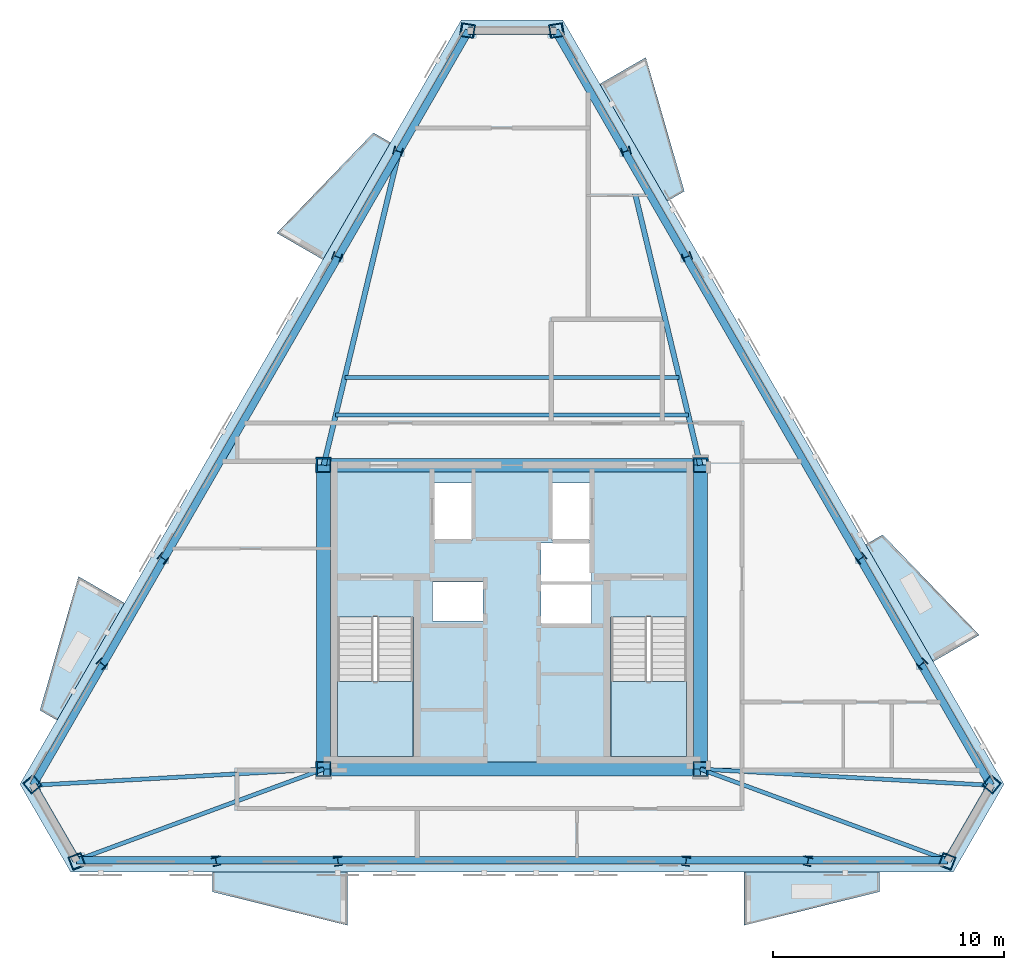
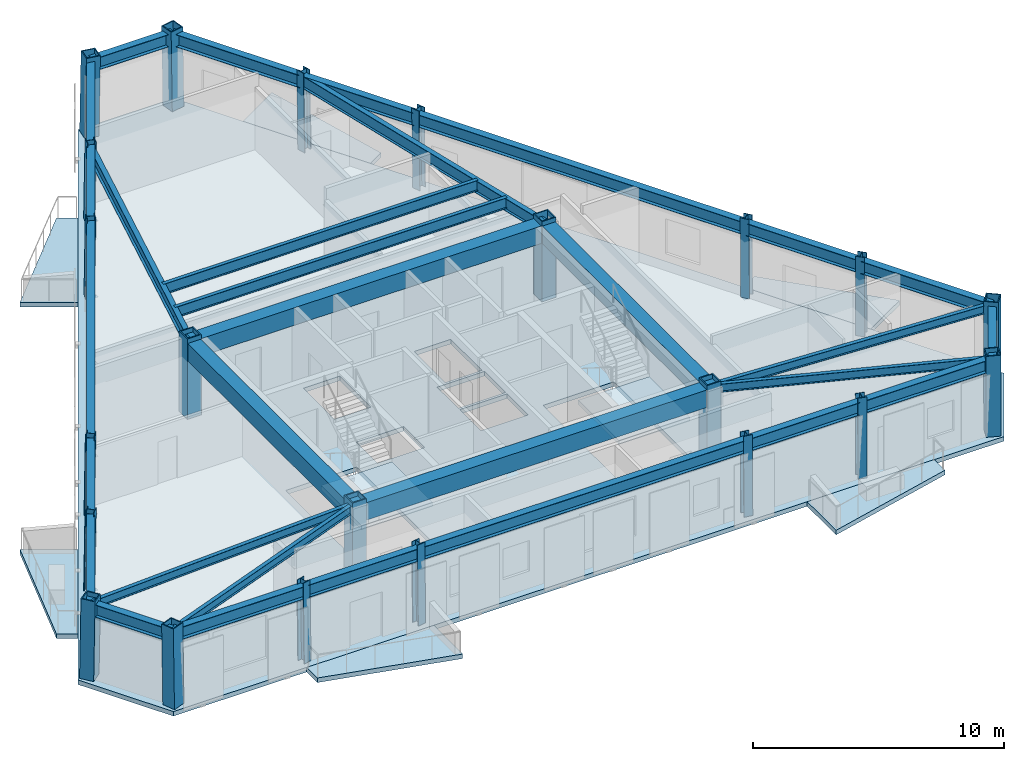
# One storey, part 1 of 9: 30 beams, 22 columns, 9 slabs, 2 elements without a shape of their own.
"""IFC4 building model written with IfcOpenShell, lengths in metres."""

import ifcopenshell
import ifcopenshell.guid

model = None  # the IFC model being written
_history = None  # IfcOwnerHistory: only IFC2X3 demands one
_inside = {}  # id of a spatial element -> (the spatial element, [elements in it])
_under = {}  # id of a project, library or spatial element -> (it, [spatial elements below it])
_declared = {}  # id of a project -> (the project, [libraries it declares])
_typed = {}  # id of a type object -> (the type object, [elements of that type])
_made_of = {}  # id of a material, layer set ... -> (it, [elements and type objects made of it])


def new_model(schema):
    """Start an empty IFC model of exactly this schema.

    Asked for "IFC4X3", IfcOpenShell would pick the latest addendum, in which some entities
    have other attributes; the version numbers below select the first issue.
    IFC2X3 requires an IfcOwnerHistory on every rooted entity: one is made here for all.
    """
    global model, _history
    if schema == "IFC4X3":
        model = ifcopenshell.file(schema_version=(4, 3, 0, 0))
    else:
        model = ifcopenshell.file(schema=schema)
    _inside.clear()
    _under.clear()
    _declared.clear()
    _typed.clear()
    _made_of.clear()
    _history = None
    if model.schema == "IFC2X3":
        org = make("IfcOrganization", Name="unknown")
        user = make(
            "IfcPersonAndOrganization",
            ThePerson=make("IfcPerson", FamilyName="unknown"),
            TheOrganization=org,
        )
        app = make(
            "IfcApplication",
            ApplicationDeveloper=org,
            Version="unknown",
            ApplicationFullName="unknown",
            ApplicationIdentifier="unknown",
        )
        _history = make(
            "IfcOwnerHistory",
            OwningUser=user,
            OwningApplication=app,
            ChangeAction="ADDED",
            CreationDate=0,
        )
    return model


def make(cls, **values):
    """One entity of the class cls with the attributes given. An attribute that is None is left unset."""
    return model.create_entity(
        cls, **{name: value for name, value in values.items() if value is not None}
    )


def rooted(cls, **values):
    """An entity with a GlobalId (a new one), such as an element, a storey or a relation."""
    return make(cls, GlobalId=ifcopenshell.guid.new(), OwnerHistory=_history, **values)


def si_unit(unit_type, name, prefix=None):
    """IfcSIUnit, for example si_unit("LENGTHUNIT", "METRE", prefix="MILLI")."""
    return make("IfcSIUnit", UnitType=unit_type, Prefix=prefix, Name=name)


def assignment(units):
    """IfcUnitAssignment: the units of a project."""
    return None if units is None else make("IfcUnitAssignment", Units=units)


def point(xyz):
    """IfcCartesianPoint."""
    return None if xyz is None else make("IfcCartesianPoint", Coordinates=xyz)


def direction(xyz):
    """IfcDirection."""
    return None if xyz is None else make("IfcDirection", DirectionRatios=xyz)


def frame(location, z_axis=None, x_axis=None):
    """IfcAxis2Placement3D, a coordinate frame: its origin and axes. An axis left out is left unset."""
    return make(
        "IfcAxis2Placement3D",
        Location=point(location),
        Axis=direction(z_axis),
        RefDirection=direction(x_axis),
    )


def frame_2d(location, x_axis=None):
    """IfcAxis2Placement2D, a coordinate frame in the plane: its origin and x axis."""
    return make(
        "IfcAxis2Placement2D", Location=point(location), RefDirection=direction(x_axis)
    )


def origin():
    """The frame at (0, 0, 0) with its axes left unset."""
    return frame((0.0, 0.0, 0.0))


def origin_2d():
    """The frame at (0, 0) in the plane with its x axis left unset."""
    return frame_2d((0.0, 0.0))


def place(relative_to, where):
    """IfcLocalPlacement: puts the frame where relative to a parent placement (None: the world)."""
    return make(
        "IfcLocalPlacement", PlacementRelTo=relative_to, RelativePlacement=where
    )


def context(
    kind, dimensions, precision=None, world=None, true_north=None, identifier=None
):
    """IfcGeometricRepresentationContext, for example the 3D "Model" context."""
    return make(
        "IfcGeometricRepresentationContext",
        ContextIdentifier=identifier,
        ContextType=kind,
        CoordinateSpaceDimension=dimensions,
        Precision=precision,
        WorldCoordinateSystem=world,
        TrueNorth=true_north,
    )


def subcontext(parent, identifier, kind, view, scale=None):
    """IfcGeometricRepresentationSubContext, for example "Body" below "Model"."""
    return make(
        "IfcGeometricRepresentationSubContext",
        ContextIdentifier=identifier,
        ContextType=kind,
        ParentContext=parent,
        TargetScale=scale,
        TargetView=view,
    )


def project(units=None, contexts=None):
    """IfcProject with its units and contexts."""
    return rooted(
        "IfcProject",
        Name="project",
        RepresentationContexts=contexts,
        UnitsInContext=assignment(units),
    )


def spatial(cls, under=None, at=None, **own):
    """A site, building, storey or space (cls), placed at a placement, below another one or the project."""
    s = rooted(cls, ObjectPlacement=at, **own)
    if under is not None:
        _under.setdefault(under.id(), (under, []))[1].append(s)
    return s


def polyline(points):
    """IfcPolyline through the points."""
    return make("IfcPolyline", Points=[point(p) for p in points])


def profile(cls, at=None, kind="AREA", **sizes):
    """A parametric profile (cls). Its sizes go by their IFC names, for example OverallWidth=200.0."""
    return make(cls, ProfileType=kind, Position=at, **sizes)


def rectangle(**sizes):
    """IfcRectangleProfileDef."""
    return profile("IfcRectangleProfileDef", **sizes)


def hollow_rectangle(**sizes):
    """IfcRectangleHollowProfileDef."""
    return profile("IfcRectangleHollowProfileDef", **sizes)


def i_section(**sizes):
    """IfcIShapeProfileDef."""
    return profile("IfcIShapeProfileDef", **sizes)


def outline(outer, holes=None, kind="AREA"):
    """IfcArbitraryClosedProfileDef: a profile drawn as a closed curve; with holes, ...WithVoids."""
    if holes is None:
        return make("IfcArbitraryClosedProfileDef", ProfileType=kind, OuterCurve=outer)
    return make(
        "IfcArbitraryProfileDefWithVoids",
        ProfileType=kind,
        OuterCurve=outer,
        InnerCurves=holes,
    )


def extrude(swept, where, along, depth):
    """IfcExtrudedAreaSolid: the profile swept, set in the frame where, extruded along a direction by depth."""
    return make(
        "IfcExtrudedAreaSolid",
        SweptArea=swept,
        Position=where,
        ExtrudedDirection=direction(along),
        Depth=depth,
    )


def shape(context_of_items, identifier, shape_type, items):
    """IfcShapeRepresentation: the items that make up one representation, for example the "Body"."""
    return make(
        "IfcShapeRepresentation",
        ContextOfItems=context_of_items,
        RepresentationIdentifier=identifier,
        RepresentationType=shape_type,
        Items=items,
    )


def material(Name=None, Category=None):
    """IfcMaterial."""
    return make("IfcMaterial", Name=Name, Category=Category)


def layer(
    of_material, thickness, ventilated=None, Name=None, Category=None, Priority=None
):
    """IfcMaterialLayer: one layer of a wall or slab, of a material (None: an air gap)."""
    return make(
        "IfcMaterialLayer",
        Material=of_material,
        LayerThickness=thickness,
        IsVentilated=ventilated,
        Name=Name,
        Category=Category,
        Priority=Priority,
    )


def layer_set(layers, Name=None):
    """IfcMaterialLayerSet."""
    return make("IfcMaterialLayerSet", MaterialLayers=layers, LayerSetName=Name)


def material_profile(
    of_material, cross_section, Name=None, Category=None, Priority=None
):
    """IfcMaterialProfile: a cross section and its material."""
    return make(
        "IfcMaterialProfile",
        Name=Name,
        Material=of_material,
        Profile=cross_section,
        Priority=Priority,
        Category=Category,
    )


def profile_set(profiles, Name=None, composite=None):
    """IfcMaterialProfileSet."""
    return make(
        "IfcMaterialProfileSet",
        Name=Name,
        MaterialProfiles=profiles,
        CompositeProfile=composite,
    )


def made_of(thing, what):
    """Note that an element or type object is made of a material, layer set ...; save() writes the relation."""
    if what is not None:
        _made_of.setdefault(what.id(), (what, []))[1].append(thing)
    return thing


def type_object(cls, material=None, **own):
    """A type object (cls), such as IfcWallType, which elements share."""
    return made_of(rooted(cls, **own), material)


def element(
    cls,
    number,
    at=None,
    inside=None,
    cuts=None,
    type_object=None,
    material=None,
    context=None,
    identifier="Body",
    shape_type=None,
    held_by="IfcProductDefinitionShape",
    body=None,
    shapes=None,
    **own,
):
    """One element of the class cls, such as IfcWall. Its Tag is "e" and its number.

    at: its placement. inside: the storey or other place that contains it. cuts: it is an
    opening in that element (IfcRelVoidsElement). A single representation is given by context,
    identifier, shape_type and body (its items); several are given by shapes. held_by: the class
    of the entity that holds the representations. save() writes the other relations.
    """
    e = rooted(cls, Tag="e%d" % number, ObjectPlacement=at, **own)
    if body is not None:
        shapes = [shape(context, identifier, shape_type, body)]
    if shapes is not None:
        e.Representation = make(held_by, Representations=shapes)
    if inside is not None:
        _inside.setdefault(inside.id(), (inside, []))[1].append(e)
    if cuts is not None:
        rooted(
            "IfcRelVoidsElement", RelatingBuildingElement=cuts, RelatedOpeningElement=e
        )
    if type_object is not None:
        _typed.setdefault(type_object.id(), (type_object, []))[1].append(e)
    return made_of(e, material)


def aggregate(whole, parts):
    """IfcRelAggregates: a whole, such as a stair, and the parts it consists of."""
    return rooted("IfcRelAggregates", RelatingObject=whole, RelatedObjects=parts)


def save(model, path):
    """Write the relations noted so far, then the file.

    IfcRelAggregates (storeys below a building ...), IfcRelContainedInSpatialStructure (elements
    in a storey), IfcRelDefinesByType, IfcRelAssociatesMaterial and IfcRelDeclares: one each for
    every whole, place, type object, material and project.
    """
    for whole, parts in _under.values():
        aggregate(whole, parts)
    for where, things in _inside.values():
        rooted(
            "IfcRelContainedInSpatialStructure",
            RelatedElements=things,
            RelatingStructure=where,
        )
    for kind, things in _typed.values():
        rooted("IfcRelDefinesByType", RelatedObjects=things, RelatingType=kind)
    for what, things in _made_of.values():
        rooted("IfcRelAssociatesMaterial", RelatedObjects=things, RelatingMaterial=what)
    for by, libraries in _declared.values():
        rooted("IfcRelDeclares", RelatingContext=by, RelatedDefinitions=libraries)
    model.write(path)


model = new_model("IFC4")

# Units and contexts
model_context = context("Model", 3, precision=1e-05, world=origin(), true_north=direction((0.0, 1.0)))
body_context = subcontext(model_context, "Body", "Model", "MODEL_VIEW")
ifc_project = project(units=[si_unit("LENGTHUNIT", "METRE"), si_unit("AREAUNIT", "SQUARE_METRE"), si_unit("VOLUMEUNIT", "CUBIC_METRE"), si_unit("PLANEANGLEUNIT", "RADIAN"), si_unit("MASSUNIT", "GRAM", prefix="KILO")], contexts=[model_context])

# Site, building, storey
site_placement = place(None, origin())
site = spatial("IfcSite", under=ifc_project, at=site_placement, CompositionType="ELEMENT")
building_placement = place(site_placement, origin())
building = spatial("IfcBuilding", under=site, at=building_placement, Name="Oramaril Tower", CompositionType="ELEMENT")
storey_placement = place(building_placement, frame((0.0, 0.0, 301.199951171875)))
storey = spatial("IfcBuildingStorey", under=building, at=storey_placement, Name="L79", CompositionType="ELEMENT", Elevation=301.199951171875)

# Columns
ifc_material_1 = material(Name="Steel ASTM A572 Gr 50", Category="steel")
ifc_material_profile_1 = material_profile(ifc_material_1, hollow_rectangle(XDim=0.64990234375, YDim=0.64990234375, WallThickness=0.050048828125, at=origin_2d()), Name="BOX650X650X50")
ifc_profile_set_1 = profile_set([ifc_material_profile_1], Name="Steel ASTM A572 Gr 50")
column_type_1 = type_object("IfcColumnType", Name="CT-CC5", PredefinedType="COLUMN", material=ifc_profile_set_1)
for number, where, z_axis, x_axis, name in (
    (1, (29.35009765625, 11.0, 0.0), (0.0, 0.0, 1.0), (1.0, 0.0, 0.0), "L79 Core Column CC-1"),
    (2, (45.64990234375, 11.0, 0.0), (0.0, 0.0, 1.0), (1.0, 0.0, 0.0), "L79 Core Column CC-2"),
    (3, (45.64990234375, 24.14990234375, 0.0), (0.0, 0.0, 1.0), (1.0, 0.0, 0.0), "L79 Core Column CC-3"),
    (4, (29.35009765625, 24.14990234375, 0.0), (0.0, 0.0, 1.0), (1.0, 0.0, 0.0), "L79 Core Column CC-4"),
):
    element("IfcColumn", number, at=place(storey_placement, frame(where, z_axis=z_axis, x_axis=x_axis)), inside=storey, type_object=column_type_1, Name=name, PredefinedType="COLUMN", context=body_context, shape_type="SweptSolid", body=[
        extrude(hollow_rectangle(XDim=0.64990234375, YDim=0.64990234375, WallThickness=0.050048828125, at=origin_2d()), origin(), (0.0, 0.0, 1.0), 3.900146484375),
    ])
ifc_material_2 = material(Name="Steel ASTM A572 Gr 50", Category="steel")
ifc_material_profile_2 = material_profile(ifc_material_2, hollow_rectangle(XDim=0.60009765625, YDim=0.60009765625, WallThickness=0.044921875, at=origin_2d()), Name="BOX600X600X45")
ifc_profile_set_2 = profile_set([ifc_material_profile_2], Name="Steel ASTM A572 Gr 50")
column_type_2 = type_object("IfcColumnType", Name="CT-TC5", PredefinedType="COLUMN", material=ifc_profile_set_2)
for number, where, z_axis, x_axis, name in (
    (5, (16.73876953125, 10.344970703125, 0.004638671875), (0.00966190335, -0.011983269739, 0.999881517416), (0.778477281888, 0.627672782255, 0.0), "L79 Tube Column TC-01"),
    (6, (18.671142578125, 6.997802734375, 0.004638671875), (-0.005521087759, 0.014367376099, 0.999881541031), (-0.933450623028, -0.358705916273, 0.0), "L79 Tube Column TC-02"),
    (7, (56.328857421875, 6.997802734375, 0.004638671875), (0.005521087759, 0.014367376099, 0.999881541031), (-0.933450623028, 0.358705916273, 0.0), "L79 Tube Column TC-03"),
    (8, (58.26123046875, 10.344970703125, 0.004638671875), (-0.00966190335, -0.011983269739, 0.999881517416), (0.778477281888, -0.627672782255, 0.0), "L79 Tube Column TC-04"),
    (9, (39.432373046875, 42.95751953125, 0.004638671875), (-0.015182994325, -0.002446846193, 0.999881737821), (0.159104174377, -0.987261799978, 0.0), "L79 Tube Column TC-05"),
    (10, (35.567626953125, 42.95751953125, 0.004638671875), (0.015182994325, -0.002446846193, 0.999881737821), (0.159104174377, 0.987261799978, 0.0), "L79 Tube Column TC-06"),
):
    element("IfcColumn", number, at=place(storey_placement, frame(where, z_axis=z_axis, x_axis=x_axis)), inside=storey, type_object=column_type_2, Name=name, PredefinedType="COLUMN", context=body_context, shape_type="SweptSolid", body=[
        extrude(hollow_rectangle(XDim=0.60009765625, YDim=0.60009765625, WallThickness=0.044921875, at=origin_2d()), origin(), (0.0, 0.0, 1.0), 3.891357421875),
    ])
ifc_material_3 = material(Name="Steel ASTM A572 Gr 50", Category="steel")
ifc_material_profile_3 = material_profile(ifc_material_3, i_section(OverallWidth=0.373046875, OverallDepth=0.373046875, WebThickness=0.016357421875, FlangeThickness=0.026123046875, at=origin_2d()), Name="W14X132")
ifc_profile_set_3 = profile_set([ifc_material_profile_3], Name="Steel ASTM A572 Gr 50")
column_type_3 = type_object("IfcColumnType", Name="CT-TF5", PredefinedType="COLUMN", material=ifc_profile_set_3)
for number, where, z_axis, x_axis, name in (
    (11, (24.6962890625, 6.997802734375, 0.004638671875), (-0.003701669441, 0.014367496645, 0.999889930284), (-0.968376261562, -0.249494320664, 0.0), "L79 Tube Column TC-07"),
    (12, (29.968505859375, 6.997802734375, 0.004638671875), (-0.002195915351, 0.01436756044, 0.999894370003), (-0.988520930222, -0.151083984968, 0.0), "L79 Tube Column TC-08"),
    (13, (45.031494140625, 6.997802734375, 0.004638671875), (0.002195915351, 0.01436756044, 0.999894370003), (-0.988520930222, 0.151083984968, 0.0), "L79 Tube Column TC-09"),
    (14, (50.3037109375, 6.997802734375, 0.004638671875), (0.003701669441, 0.014367496645, 0.999889930284), (-0.968376261562, 0.249494320664, 0.0), "L79 Tube Column TC-10"),
    (15, (55.248779296875, 15.56298828125, 0.004638671875), (-0.010603076025, -0.010477595836, 0.99988889121), (0.702885360452, -0.7113031492, 0.0), "L79 Tube Column TC-11"),
    (16, (52.612548828125, 20.128662109375, 0.004638671875), (-0.011293284305, -0.009097367912, 0.999894844284), (0.627329537873, -0.778753909083, 0.0), "L79 Tube Column TC-12"),
    (17, (45.0810546875, 33.173583984375, 0.004638671875), (-0.013551937965, -0.005207457644, 0.999894608127), (0.358689472963, -0.933456941688, 0.0), "L79 Tube Column TC-13"),
    (18, (42.445068359375, 37.739501953125, 0.004638671875), (-0.014304755612, -0.00395262984, 0.999889869278), (0.26633537944, -0.96388042083, 0.0), "L79 Tube Column TC-14"),
    (19, (32.554931640625, 37.739501953125, 0.004638671875), (0.014304755612, -0.00395262984, 0.999889869278), (0.26633537944, 0.96388042083, 0.0), "L79 Tube Column TC-15"),
    (20, (29.9189453125, 33.173583984375, 0.004638671875), (0.013551937965, -0.005207457644, 0.999894608127), (0.358689472963, 0.933456941688, 0.0), "L79 Tube Column TC-16"),
    (21, (22.387451171875, 20.128662109375, 0.004638671875), (0.011293284305, -0.009097367912, 0.999894844284), (0.627329537873, 0.778753909083, 0.0), "L79 Tube Column TC-17"),
    (22, (19.751220703125, 15.56298828125, 0.004638671875), (0.010603076025, -0.010477595836, 0.99988889121), (0.702885360452, 0.7113031492, 0.0), "L79 Tube Column TC-18"),
):
    element("IfcColumn", number, at=place(storey_placement, frame(where, z_axis=z_axis, x_axis=x_axis)), inside=storey, type_object=column_type_3, Name=name, PredefinedType="COLUMN", context=body_context, shape_type="SweptSolid", body=[
        extrude(i_section(OverallWidth=0.373046875, OverallDepth=0.373046875, WebThickness=0.016357421875, FlangeThickness=0.026123046875, at=origin_2d()), origin(), (0.0, 0.0, 1.0), 3.891357421875),
    ])

# Beams
ifc_material_4 = material(Name="Concrete C50/60", Category="concrete")
ifc_material_profile_4 = material_profile(ifc_material_4, rectangle(XDim=0.60009765625, YDim=0.85009765625, at=origin_2d()), Name="CB600X850")
ifc_profile_set_4 = profile_set([ifc_material_profile_4], Name="Concrete C50/60")
beam_type_1 = type_object("IfcBeamType", Name="BT-CB2", PredefinedType="BEAM", material=ifc_profile_set_4)
beam_1_placement = place(storey_placement, frame((29.35009765625, 11.0, 3.255126953125), z_axis=(1.0, 0.0, 0.0), x_axis=(0.0, 1.0, 0.0)))
element("IfcBeam", 23, at=beam_1_placement, inside=storey, type_object=beam_type_1, Name="L79 Core Header Beam CB-1", PredefinedType="BEAM", context=body_context, shape_type="SweptSolid", body=[
    extrude(rectangle(XDim=0.60009765625, YDim=0.85009765625, at=origin_2d()), origin(), (0.0, 0.0, 1.0), 16.2998046875),
])
beam_2_placement = place(storey_placement, frame((45.64990234375, 11.0, 3.255126953125), z_axis=(0.0, 1.0, 0.0), x_axis=(-1.0, 0.0, 0.0)))
element("IfcBeam", 24, at=beam_2_placement, inside=storey, type_object=beam_type_1, Name="L79 Core Header Beam CB-2", PredefinedType="BEAM", context=body_context, shape_type="SweptSolid", body=[
    extrude(rectangle(XDim=0.60009765625, YDim=0.85009765625, at=origin_2d()), origin(), (0.0, 0.0, 1.0), 13.14990234375),
])
beam_3_placement = place(storey_placement, frame((45.64990234375, 24.14990234375, 3.255126953125), z_axis=(-1.0, 0.0, 0.0), x_axis=(0.0, -1.0, 0.0)))
element("IfcBeam", 25, at=beam_3_placement, inside=storey, type_object=beam_type_1, Name="L79 Core Header Beam CB-3", PredefinedType="BEAM", context=body_context, shape_type="SweptSolid", body=[
    extrude(rectangle(XDim=0.60009765625, YDim=0.85009765625, at=origin_2d()), origin(), (0.0, 0.0, 1.0), 16.2998046875),
])
beam_4_placement = place(storey_placement, frame((29.35009765625, 24.14990234375, 3.255126953125), z_axis=(0.0, -1.0, 0.0), x_axis=(1.0, 0.0, 0.0)))
element("IfcBeam", 26, at=beam_4_placement, inside=storey, type_object=beam_type_1, Name="L79 Core Header Beam CB-4", PredefinedType="BEAM", context=body_context, shape_type="SweptSolid", body=[
    extrude(rectangle(XDim=0.60009765625, YDim=0.85009765625, at=origin_2d()), origin(), (0.0, 0.0, 1.0), 13.14990234375),
])
ifc_material_5 = material(Name="Steel ASTM A572 Gr 50", Category="steel")
ifc_material_profile_5 = material_profile(ifc_material_5, i_section(OverallWidth=0.22900390625, OverallDepth=0.612060546875, WebThickness=0.011962890625, FlangeThickness=0.01953125, at=origin_2d()), Name="W24X84")
ifc_profile_set_5 = profile_set([ifc_material_profile_5], Name="Steel ASTM A572 Gr 50")
beam_type_2 = type_object("IfcBeamType", Name="BT-FB1", PredefinedType="BEAM", material=ifc_profile_set_5)
for number, where, z_axis, x_axis, name in (
    (27, (29.35009765625, 24.14990234375, 3.3740234375), (0.233554841493, 0.972343630624, 0.0), (-0.972343630624, 0.233554841493, 0.0), "L80 Portal Throat West Primary Girder"),
    (28, (45.64990234375, 24.14990234375, 3.3740234375), (-0.233554841493, 0.972343630624, 0.0), (-0.972343630624, -0.233554841493, 0.0), "L80 Portal Throat East Primary Girder"),
):
    element("IfcBeam", number, at=place(storey_placement, frame(where, z_axis=z_axis, x_axis=x_axis)), inside=storey, type_object=beam_type_2, Name=name, PredefinedType="BEAM", context=body_context, shape_type="SweptSolid", body=[
        extrude(i_section(OverallWidth=0.22900390625, OverallDepth=0.612060546875, WebThickness=0.011962890625, FlangeThickness=0.01953125, at=origin_2d()), origin(), (0.0, 0.0, 1.0), 13.960205078125),
    ])
ifc_material_6 = material(Name="Steel ASTM A572 Gr 50", Category="steel")
ifc_material_profile_6 = material_profile(ifc_material_6, i_section(OverallWidth=0.166015625, OverallDepth=0.528076171875, WebThickness=0.009765625, FlangeThickness=0.013671875, at=origin_2d()), Name="W21X50")
ifc_profile_set_6 = profile_set([ifc_material_profile_6], Name="Steel ASTM A572 Gr 50")
beam_type_3 = type_object("IfcBeamType", Name="BT-FB3", PredefinedType="BEAM", material=ifc_profile_set_6)
beam_5_placement = place(storey_placement, frame((30.262939453125, 27.95068359375, 3.416015625), z_axis=(1.0, 0.0, 0.0), x_axis=(0.0, 1.0, 0.0)))
element("IfcBeam", 29, at=beam_5_placement, inside=storey, type_object=beam_type_3, Name="L80 Portal Deck Outer Support Girder", PredefinedType="BEAM", context=body_context, shape_type="SweptSolid", body=[
    extrude(i_section(OverallWidth=0.166015625, OverallDepth=0.528076171875, WebThickness=0.009765625, FlangeThickness=0.013671875, at=origin_2d()), origin(), (0.0, 0.0, 1.0), 14.47412109375),
])
beam_6_placement = place(storey_placement, frame((29.87158203125, 26.322021484375, 3.416015625), z_axis=(1.0, 0.0, 0.0), x_axis=(0.0, 1.0, 0.0)))
element("IfcBeam", 30, at=beam_6_placement, inside=storey, type_object=beam_type_3, Name="L80 Portal Deck Inner Support Girder", PredefinedType="BEAM", context=body_context, shape_type="SweptSolid", body=[
    extrude(i_section(OverallWidth=0.166015625, OverallDepth=0.528076171875, WebThickness=0.009765625, FlangeThickness=0.013671875, at=origin_2d()), origin(), (0.0, 0.0, 1.0), 15.2568359375),
])
ifc_material_7 = material(Name="Steel ASTM A572 Gr 50", Category="steel")
ifc_material_profile_7 = material_profile(ifc_material_7, i_section(OverallWidth=0.177978515625, OverallDepth=0.404052734375, WebThickness=0.007568359375, FlangeThickness=0.010986328125, at=origin_2d()), Name="W16X36")
ifc_profile_set_7 = profile_set([ifc_material_profile_7], Name="Steel ASTM A572 Gr 50")
beam_type_4 = type_object("IfcBeamType", Name="BT-SB1", PredefinedType="BEAM", material=ifc_profile_set_7)
beam_7_placement = place(storey_placement, frame((29.35009765625, 11.0, 3.47802734375), z_axis=(-0.998446602946, -0.055716972872, 0.0), x_axis=(0.055716972872, -0.998446602946, 0.0)))
element("IfcBeam", 31, at=beam_7_placement, inside=storey, type_object=beam_type_4, Name="L79 Radial Primary Beam RB-01", PredefinedType="BEAM", context=body_context, shape_type="SweptSolid", body=[
    extrude(i_section(OverallWidth=0.177978515625, OverallDepth=0.404052734375, WebThickness=0.007568359375, FlangeThickness=0.010986328125, at=origin_2d()), origin(), (0.0, 0.0, 1.0), 12.59326171875),
])
for number, where, z_axis, x_axis, name in (
    (32, (29.35009765625, 11.0, 3.47802734375), (-0.938228670809, -0.346015839626, 0.0), (0.346015839626, -0.938228670809, 0.0), "L79 Radial Primary Beam RB-02"),
    (33, (45.64990234375, 11.0, 3.47802734375), (0.938228670809, -0.346015839626, 0.0), (0.346015839626, 0.938228670809, 0.0), "L79 Radial Primary Beam RB-03"),
):
    element("IfcBeam", number, at=place(storey_placement, frame(where, z_axis=z_axis, x_axis=x_axis)), inside=storey, type_object=beam_type_4, Name=name, PredefinedType="BEAM", context=body_context, shape_type="SweptSolid", body=[
        extrude(i_section(OverallWidth=0.177978515625, OverallDepth=0.404052734375, WebThickness=0.007568359375, FlangeThickness=0.010986328125, at=origin_2d()), origin(), (0.0, 0.0, 1.0), 11.405029296875),
    ])
beam_8_placement = place(storey_placement, frame((45.64990234375, 11.0, 3.47802734375), z_axis=(0.998446602946, -0.055716972872, 0.0), x_axis=(0.055716972872, 0.998446602946, 0.0)))
element("IfcBeam", 34, at=beam_8_placement, inside=storey, type_object=beam_type_4, Name="L79 Radial Primary Beam RB-04", PredefinedType="BEAM", context=body_context, shape_type="SweptSolid", body=[
    extrude(i_section(OverallWidth=0.177978515625, OverallDepth=0.404052734375, WebThickness=0.007568359375, FlangeThickness=0.010986328125, at=origin_2d()), origin(), (0.0, 0.0, 1.0), 12.59326171875),
])
ifc_material_8 = material(Name="Steel ASTM A572 Gr 50", Category="steel")
ifc_material_profile_8 = material_profile(ifc_material_8, i_section(OverallWidth=0.324951171875, OverallDepth=0.612060546875, WebThickness=0.0126953125, FlangeThickness=0.01904296875, at=origin_2d()), Name="W24X104")
ifc_profile_set_8 = profile_set([ifc_material_profile_8], Name="Steel ASTM A572 Gr 50")
beam_type_5 = type_object("IfcBeamType", Name="BT-SP5", PredefinedType="SPANDREL", material=ifc_profile_set_8)
beam_9_placement = place(storey_placement, frame((16.7763671875, 10.29833984375, 3.3740234375), z_axis=(0.500000729302, -0.866024982721, 0.0), x_axis=(0.866024982721, 0.500000729302, 0.0)))
element("IfcBeam", 35, at=beam_9_placement, inside=storey, type_object=beam_type_5, Name="L79 Perimeter Spandrel 01", PredefinedType="SPANDREL", context=body_context, shape_type="SweptSolid", body=[
    extrude(i_section(OverallWidth=0.324951171875, OverallDepth=0.612060546875, WebThickness=0.0126953125, FlangeThickness=0.01904296875, at=origin_2d()), origin(), (0.0, 0.0, 1.0), 3.74658203125),
])
beam_10_placement = place(storey_placement, frame((18.649658203125, 7.0537109375, 3.3740234375), z_axis=(1.0, 0.0, 0.0), x_axis=(0.0, 1.0, 0.0)))
element("IfcBeam", 36, at=beam_10_placement, inside=storey, type_object=beam_type_5, Name="L79 Perimeter Spandrel 02", PredefinedType="SPANDREL", context=body_context, shape_type="SweptSolid", body=[
    extrude(i_section(OverallWidth=0.324951171875, OverallDepth=0.612060546875, WebThickness=0.0126953125, FlangeThickness=0.01904296875, at=origin_2d()), origin(), (0.0, 0.0, 1.0), 6.0322265625),
])
beam_11_placement = place(storey_placement, frame((24.681884765625, 7.0537109375, 3.3740234375), z_axis=(1.0, 0.0, 0.0), x_axis=(0.0, 1.0, 0.0)))
element("IfcBeam", 37, at=beam_11_placement, inside=storey, type_object=beam_type_5, Name="L79 Perimeter Spandrel 03", PredefinedType="SPANDREL", context=body_context, shape_type="SweptSolid", body=[
    extrude(i_section(OverallWidth=0.324951171875, OverallDepth=0.612060546875, WebThickness=0.0126953125, FlangeThickness=0.01904296875, at=origin_2d()), origin(), (0.0, 0.0, 1.0), 5.278076171875),
])
beam_12_placement = place(storey_placement, frame((29.9599609375, 7.0537109375, 3.3740234375), z_axis=(1.0, 0.0, 0.0), x_axis=(0.0, 1.0, 0.0)))
element("IfcBeam", 38, at=beam_12_placement, inside=storey, type_object=beam_type_5, Name="L79 Perimeter Spandrel 04", PredefinedType="SPANDREL", context=body_context, shape_type="SweptSolid", body=[
    extrude(i_section(OverallWidth=0.324951171875, OverallDepth=0.612060546875, WebThickness=0.0126953125, FlangeThickness=0.01904296875, at=origin_2d()), origin(), (0.0, 0.0, 1.0), 15.080078125),
])
beam_13_placement = place(storey_placement, frame((45.0400390625, 7.0537109375, 3.3740234375), z_axis=(1.0, 0.0, 0.0), x_axis=(0.0, 1.0, 0.0)))
element("IfcBeam", 39, at=beam_13_placement, inside=storey, type_object=beam_type_5, Name="L79 Perimeter Spandrel 05", PredefinedType="SPANDREL", context=body_context, shape_type="SweptSolid", body=[
    extrude(i_section(OverallWidth=0.324951171875, OverallDepth=0.612060546875, WebThickness=0.0126953125, FlangeThickness=0.01904296875, at=origin_2d()), origin(), (0.0, 0.0, 1.0), 5.278076171875),
])
beam_14_placement = place(storey_placement, frame((50.318115234375, 7.0537109375, 3.3740234375), z_axis=(1.0, 0.0, 0.0), x_axis=(0.0, 1.0, 0.0)))
element("IfcBeam", 40, at=beam_14_placement, inside=storey, type_object=beam_type_5, Name="L79 Perimeter Spandrel 06", PredefinedType="SPANDREL", context=body_context, shape_type="SweptSolid", body=[
    extrude(i_section(OverallWidth=0.324951171875, OverallDepth=0.612060546875, WebThickness=0.0126953125, FlangeThickness=0.01904296875, at=origin_2d()), origin(), (0.0, 0.0, 1.0), 6.0322265625),
])
beam_15_placement = place(storey_placement, frame((56.350341796875, 7.0537109375, 3.3740234375), z_axis=(0.500000729302, 0.866024982721, 0.0), x_axis=(-0.866024982721, 0.500000729302, 0.0)))
element("IfcBeam", 41, at=beam_15_placement, inside=storey, type_object=beam_type_5, Name="L79 Perimeter Spandrel 07", PredefinedType="SPANDREL", context=body_context, shape_type="SweptSolid", body=[
    extrude(i_section(OverallWidth=0.324951171875, OverallDepth=0.612060546875, WebThickness=0.0126953125, FlangeThickness=0.01904296875, at=origin_2d()), origin(), (0.0, 0.0, 1.0), 3.74658203125),
])
beam_16_placement = place(storey_placement, frame((58.2236328125, 10.29833984375, 3.3740234375), z_axis=(-0.50001324368, 0.866017757407, 0.0), x_axis=(-0.866017757407, -0.50001324368, 0.0)))
element("IfcBeam", 42, at=beam_16_placement, inside=storey, type_object=beam_type_5, Name="L79 Perimeter Spandrel 08", PredefinedType="SPANDREL", context=body_context, shape_type="SweptSolid", body=[
    extrude(i_section(OverallWidth=0.324951171875, OverallDepth=0.612060546875, WebThickness=0.0126953125, FlangeThickness=0.01904296875, at=origin_2d()), origin(), (0.0, 0.0, 1.0), 6.031982421875),
])
beam_17_placement = place(storey_placement, frame((55.20751953125, 15.522216796875, 3.3740234375), z_axis=(-0.499974706519, 0.86604000649, 0.0), x_axis=(-0.86604000649, -0.499974706519, 0.0)))
element("IfcBeam", 43, at=beam_17_placement, inside=storey, type_object=beam_type_5, Name="L79 Perimeter Spandrel 09", PredefinedType="SPANDREL", context=body_context, shape_type="SweptSolid", body=[
    extrude(i_section(OverallWidth=0.324951171875, OverallDepth=0.612060546875, WebThickness=0.0126953125, FlangeThickness=0.01904296875, at=origin_2d()), origin(), (0.0, 0.0, 1.0), 5.278076171875),
])
beam_18_placement = place(storey_placement, frame((52.568603515625, 20.09326171875, 3.3740234375), z_axis=(-0.500002728278, 0.866023828607, 0.0), x_axis=(-0.866023828607, -0.500002728278, 0.0)))
element("IfcBeam", 44, at=beam_18_placement, inside=storey, type_object=beam_type_5, Name="L79 Perimeter Spandrel 10", PredefinedType="SPANDREL", context=body_context, shape_type="SweptSolid", body=[
    extrude(i_section(OverallWidth=0.324951171875, OverallDepth=0.612060546875, WebThickness=0.0126953125, FlangeThickness=0.01904296875, at=origin_2d()), origin(), (0.0, 0.0, 1.0), 15.08056640625),
])
beam_19_placement = place(storey_placement, frame((45.0283203125, 33.1533203125, 3.3740234375), z_axis=(-0.499994735691, 0.866028443113, 0.0), x_axis=(-0.866028443113, -0.499994735691, 0.0)))
element("IfcBeam", 45, at=beam_19_placement, inside=storey, type_object=beam_type_5, Name="L79 Perimeter Spandrel 11", PredefinedType="SPANDREL", context=body_context, shape_type="SweptSolid", body=[
    extrude(i_section(OverallWidth=0.324951171875, OverallDepth=0.612060546875, WebThickness=0.0126953125, FlangeThickness=0.01904296875, at=origin_2d()), origin(), (0.0, 0.0, 1.0), 5.27783203125),
])
beam_20_placement = place(storey_placement, frame((42.389404296875, 37.72412109375, 3.3740234375), z_axis=(-0.50001324368, 0.866017757407, 0.0), x_axis=(-0.866017757407, -0.50001324368, 0.0)))
element("IfcBeam", 46, at=beam_20_placement, inside=storey, type_object=beam_type_5, Name="L79 Perimeter Spandrel 12", PredefinedType="SPANDREL", context=body_context, shape_type="SweptSolid", body=[
    extrude(i_section(OverallWidth=0.324951171875, OverallDepth=0.612060546875, WebThickness=0.0126953125, FlangeThickness=0.01904296875, at=origin_2d()), origin(), (0.0, 0.0, 1.0), 6.031982421875),
])
beam_21_placement = place(storey_placement, frame((39.373291015625, 42.947998046875, 3.3740234375), z_axis=(-1.0, 0.0, 0.0), x_axis=(0.0, -1.0, 0.0)))
element("IfcBeam", 47, at=beam_21_placement, inside=storey, type_object=beam_type_5, Name="L79 Perimeter Spandrel 13", PredefinedType="SPANDREL", context=body_context, shape_type="SweptSolid", body=[
    extrude(i_section(OverallWidth=0.324951171875, OverallDepth=0.612060546875, WebThickness=0.0126953125, FlangeThickness=0.01904296875, at=origin_2d()), origin(), (0.0, 0.0, 1.0), 3.74658203125),
])
beam_22_placement = place(storey_placement, frame((35.626708984375, 42.947998046875, 3.3740234375), z_axis=(-0.50001324368, -0.866017757407, 0.0), x_axis=(0.866017757407, -0.50001324368, 0.0)))
element("IfcBeam", 48, at=beam_22_placement, inside=storey, type_object=beam_type_5, Name="L79 Perimeter Spandrel 14", PredefinedType="SPANDREL", context=body_context, shape_type="SweptSolid", body=[
    extrude(i_section(OverallWidth=0.324951171875, OverallDepth=0.612060546875, WebThickness=0.0126953125, FlangeThickness=0.01904296875, at=origin_2d()), origin(), (0.0, 0.0, 1.0), 6.031982421875),
])
beam_23_placement = place(storey_placement, frame((32.610595703125, 37.72412109375, 3.3740234375), z_axis=(-0.499994735691, -0.866028443113, 0.0), x_axis=(0.866028443113, -0.499994735691, 0.0)))
element("IfcBeam", 49, at=beam_23_placement, inside=storey, type_object=beam_type_5, Name="L79 Perimeter Spandrel 15", PredefinedType="SPANDREL", context=body_context, shape_type="SweptSolid", body=[
    extrude(i_section(OverallWidth=0.324951171875, OverallDepth=0.612060546875, WebThickness=0.0126953125, FlangeThickness=0.01904296875, at=origin_2d()), origin(), (0.0, 0.0, 1.0), 5.27783203125),
])
beam_24_placement = place(storey_placement, frame((29.9716796875, 33.1533203125, 3.3740234375), z_axis=(-0.500002728278, -0.866023828607, 0.0), x_axis=(0.866023828607, -0.500002728278, 0.0)))
element("IfcBeam", 50, at=beam_24_placement, inside=storey, type_object=beam_type_5, Name="L79 Perimeter Spandrel 16", PredefinedType="SPANDREL", context=body_context, shape_type="SweptSolid", body=[
    extrude(i_section(OverallWidth=0.324951171875, OverallDepth=0.612060546875, WebThickness=0.0126953125, FlangeThickness=0.01904296875, at=origin_2d()), origin(), (0.0, 0.0, 1.0), 15.08056640625),
])
beam_25_placement = place(storey_placement, frame((22.431396484375, 20.09326171875, 3.3740234375), z_axis=(-0.499974706519, -0.86604000649, 0.0), x_axis=(0.86604000649, -0.499974706519, 0.0)))
element("IfcBeam", 51, at=beam_25_placement, inside=storey, type_object=beam_type_5, Name="L79 Perimeter Spandrel 17", PredefinedType="SPANDREL", context=body_context, shape_type="SweptSolid", body=[
    extrude(i_section(OverallWidth=0.324951171875, OverallDepth=0.612060546875, WebThickness=0.0126953125, FlangeThickness=0.01904296875, at=origin_2d()), origin(), (0.0, 0.0, 1.0), 5.278076171875),
])
beam_26_placement = place(storey_placement, frame((19.79248046875, 15.522216796875, 3.3740234375), z_axis=(-0.50001324368, -0.866017757407, 0.0), x_axis=(0.866017757407, -0.50001324368, 0.0)))
element("IfcBeam", 52, at=beam_26_placement, inside=storey, type_object=beam_type_5, Name="L79 Perimeter Spandrel 18", PredefinedType="SPANDREL", context=body_context, shape_type="SweptSolid", body=[
    extrude(i_section(OverallWidth=0.324951171875, OverallDepth=0.612060546875, WebThickness=0.0126953125, FlangeThickness=0.01904296875, at=origin_2d()), origin(), (0.0, 0.0, 1.0), 6.031982421875),
])

# Slabs
ifc_material_9 = material(Name="Concrete C40/50", Category="concrete")
ifc_layer_1 = layer(ifc_material_9, 0.199951171875)
ifc_layer_set_1 = layer_set([ifc_layer_1], Name="SLT-BAL20")
slab_type_1 = type_object("IfcSlabType", Name="SLT-BAL20", PredefinedType="FLOOR", material=ifc_layer_set_1)
slab_1_placement = place(storey_placement, frame((0.0, 0.0, -0.219970703125)))
element("IfcSlab", 53, at=slab_1_placement, inside=storey, type_object=slab_type_1, Name="L79 Cantilevered Balcony Slab L79-BAL-S1", PredefinedType="FLOOR", context=body_context, shape_type="SweptSolid", body=[
    extrude(outline(polyline([(24.530517578125, 6.539794921875), (30.380615234375, 6.539794921875), (30.380615234375, 4.23779296875), (24.530517578125, 5.687744140625), (24.530517578125, 6.539794921875)])), origin(), (0.0, 0.0, 1.0), 0.219970703125),
])
slab_2_placement = place(storey_placement, frame((0.0, 0.0, -0.219970703125)))
element("IfcSlab", 54, at=slab_2_placement, inside=storey, type_object=slab_type_1, Name="L79 Cantilevered Balcony Slab L79-BAL-NE2", PredefinedType="FLOOR", context=body_context, shape_type="SweptSolid", body=[
    extrude(outline(polyline([(44.22119140625, 35.578857421875), (41.29638671875, 40.64501953125), (43.289794921875, 41.796142578125), (44.958984375, 36.0048828125), (44.22119140625, 35.578857421875)])), origin(), (0.0, 0.0, 1.0), 0.219970703125),
])
slab_3_placement = place(storey_placement, frame((0.0, 0.0, -0.219970703125)))
element("IfcSlab", 55, at=slab_3_placement, inside=storey, type_object=slab_type_1, Name="L79 Cantilevered Balcony Slab L79-BAL-NW1", PredefinedType="FLOOR", context=body_context, shape_type="SweptSolid", body=[
    extrude(outline(polyline([(32.2412109375, 38.112060546875), (29.316162109375, 33.0458984375), (27.322509765625, 34.19677734375), (31.50341796875, 38.5380859375), (32.2412109375, 38.112060546875)])), origin(), (0.0, 0.0, 1.0), 0.219970703125),
])
ifc_material_10 = material(Name="Concrete C50/60", Category="concrete")
ifc_layer_2 = layer(ifc_material_10, 0.219970703125)
ifc_layer_set_2 = layer_set([ifc_layer_2], Name="SLT-FLR22")
slab_type_2 = type_object("IfcSlabType", Name="SLT-FLR22", PredefinedType="FLOOR", material=ifc_layer_set_2)
slab_4_placement = place(storey_placement, frame((0.0, 0.0, -0.219970703125)))
element("IfcSlab", 56, at=slab_4_placement, inside=storey, type_object=slab_type_2, Name="L79 Structural Floor Slab", PredefinedType="FLOOR", context=body_context, shape_type="SweptSolid", body=[
    extrude(outline(polyline([(16.20751953125, 10.344970703125), (18.405517578125, 6.53759765625), (56.594482421875, 6.53759765625), (58.79248046875, 10.344970703125), (39.697998046875, 43.41748046875), (35.302001953125, 43.41748046875), (16.20751953125, 10.344970703125)]), holes=[polyline([(29.949951171875, 17.58935546875), (29.949951171875, 11.550048828125), (33.219970703125, 11.550048828125), (33.219970703125, 17.58935546875), (29.949951171875, 17.58935546875)]), polyline([(41.780029296875, 17.58935546875), (41.780029296875, 11.550048828125), (45.050048828125, 11.550048828125), (45.050048828125, 17.58935546875), (41.780029296875, 17.58935546875)]), polyline([(34.110107421875, 20.909912109375), (35.7900390625, 20.909912109375), (35.7900390625, 23.389892578125), (34.110107421875, 23.389892578125), (34.110107421875, 20.909912109375)]), polyline([(39.2099609375, 20.909912109375), (40.889892578125, 20.909912109375), (40.889892578125, 23.389892578125), (39.2099609375, 23.389892578125), (39.2099609375, 20.909912109375)]), polyline([(34.06005859375, 17.409912109375), (36.239990234375, 17.409912109375), (36.239990234375, 19.090087890625), (34.06005859375, 19.090087890625), (34.06005859375, 17.409912109375)]), polyline([(38.760009765625, 17.31005859375), (40.93994140625, 17.31005859375), (40.93994140625, 18.989990234375), (38.760009765625, 18.989990234375), (38.760009765625, 17.31005859375)]), polyline([(38.760009765625, 19.110107421875), (40.93994140625, 19.110107421875), (40.93994140625, 20.7900390625), (38.760009765625, 20.7900390625), (38.760009765625, 19.110107421875)])]), origin(), (0.0, 0.0, 1.0), 0.219970703125),
])

# Stair, slab
ifc_material_11 = material(Name="Concrete C50/60", Category="concrete")
stair_type = type_object("IfcStairType", Name="STT-DG-3900", PredefinedType="HALF_TURN_STAIR", material=ifc_material_11)
stair_1_placement = place(storey_placement, origin())
stair_1 = element("IfcStair", 57, at=stair_1_placement, inside=storey, type_object=stair_type, Name="L79 Protected PFP Exit Stair ST-1", PredefinedType="HALF_TURN_STAIR")
ifc_material_12 = material(Name="Concrete C50/60", Category="concrete")
ifc_layer_3 = layer(ifc_material_12, 0.199951171875)
ifc_layer_set_3 = layer_set([ifc_layer_3], Name="SLT-LND20")
slab_type_3 = type_object("IfcSlabType", Name="SLT-LND20", PredefinedType="LANDING", material=ifc_layer_set_3)
slab_5_placement = place(storey_placement, frame((0.0, 0.0, 1.75)))
slab_5 = element("IfcSlab", 58, at=slab_5_placement, type_object=slab_type_3, Name="ST-1 landing 1", PredefinedType="LANDING", context=body_context, shape_type="SweptSolid", body=[
    extrude(outline(polyline([(29.949951171875, 14.7900390625), (29.949951171875, 11.550048828125), (33.219970703125, 11.550048828125), (33.219970703125, 14.7900390625), (29.949951171875, 14.7900390625)])), origin(), (0.0, 0.0, 1.0), 0.199951171875),
])
aggregate(stair_1, [slab_5])

stair_2_placement = place(storey_placement, origin())
stair_2 = element("IfcStair", 59, at=stair_2_placement, inside=storey, type_object=stair_type, Name="L79 Protected PFP Exit Stair ST-2", PredefinedType="HALF_TURN_STAIR")
slab_6_placement = place(storey_placement, frame((0.0, 0.0, 1.75)))
slab_6 = element("IfcSlab", 60, at=slab_6_placement, type_object=slab_type_3, Name="ST-2 landing 1", PredefinedType="LANDING", context=body_context, shape_type="SweptSolid", body=[
    extrude(outline(polyline([(41.780029296875, 14.7900390625), (41.780029296875, 11.550048828125), (45.050048828125, 11.550048828125), (45.050048828125, 14.7900390625), (41.780029296875, 14.7900390625)])), origin(), (0.0, 0.0, 1.0), 0.199951171875),
])
aggregate(stair_2, [slab_6])

# Slabs
ifc_material_13 = material(Name="Concrete C40/50", Category="concrete")
ifc_layer_4 = layer(ifc_material_13, 0.18994140625)
ifc_layer_set_4 = layer_set([ifc_layer_4], Name="SLT-PLN19")
slab_type_4 = type_object("IfcSlabType", Name="SLT-PLN19", PredefinedType="FLOOR", material=ifc_layer_set_4)
slab_7_placement = place(storey_placement, frame((0.0, 0.0, -0.219970703125)))
element("IfcSlab", 61, at=slab_7_placement, inside=storey, type_object=slab_type_4, Name="L79 Tree Planter Balcony Slab L79-BAL-S2", PredefinedType="FLOOR", context=body_context, shape_type="SweptSolid", body=[
    extrude(outline(polyline([(47.54443359375, 6.539794921875), (53.394287109375, 6.539794921875), (53.394287109375, 5.687744140625), (47.54443359375, 4.23779296875), (47.54443359375, 6.539794921875)])), origin(), (0.0, 0.0, 1.0), 0.219970703125),
])
slab_8_placement = place(storey_placement, frame((0.0, 0.0, -0.219970703125)))
element("IfcSlab", 62, at=slab_8_placement, inside=storey, type_object=slab_type_4, Name="L79 Tree Planter Balcony Slab L79-BAL-NE1", PredefinedType="FLOOR", context=body_context, shape_type="SweptSolid", body=[
    extrude(outline(polyline([(55.728271484375, 15.648193359375), (52.80322265625, 20.714599609375), (53.541015625, 21.140380859375), (57.721923828125, 16.79931640625), (55.728271484375, 15.648193359375)])), origin(), (0.0, 0.0, 1.0), 0.219970703125),
])
slab_9_placement = place(storey_placement, frame((0.0, 0.0, -0.219970703125)))
element("IfcSlab", 63, at=slab_9_placement, inside=storey, type_object=slab_type_4, Name="L79 Tree Planter Balcony Slab L79-BAL-NW2", PredefinedType="FLOOR", context=body_context, shape_type="SweptSolid", body=[
    extrude(outline(polyline([(20.734130859375, 18.181396484375), (17.80908203125, 13.115234375), (17.0712890625, 13.541259765625), (18.740478515625, 19.33251953125), (20.734130859375, 18.181396484375)])), origin(), (0.0, 0.0, 1.0), 0.219970703125),
])

save(model, "model.ifc")
